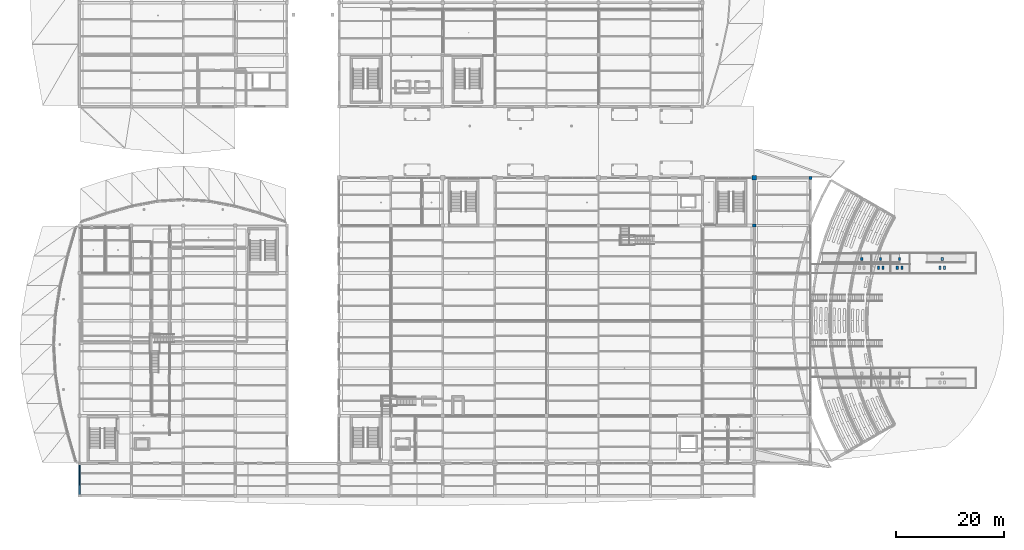
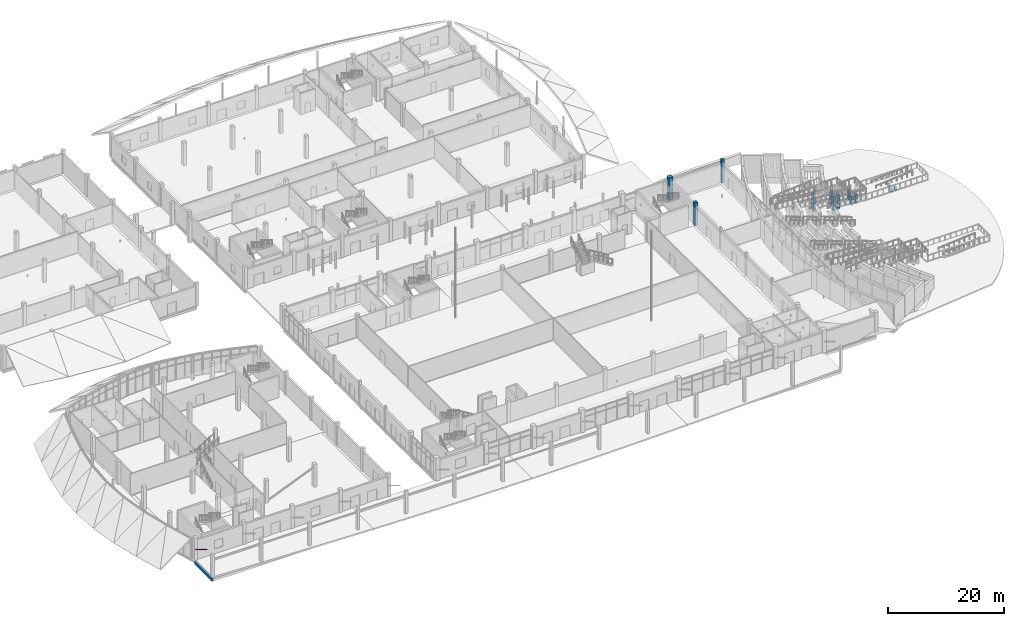
# One storey, part 15 of 116: 13 columns, 1 beam, 1 member.
"""IFC4 building model written with IfcOpenShell, lengths in metres."""

from ifc_helpers import new_model, si_unit, direction, frame, origin, origin_2d, place, context, subcontext, project, spatial, rectangle, hollow_circle, extrude, material, material_profile, profile_set, type_object, element, save


model = new_model("IFC4")

# Units and contexts
model_context = context("Model", 3, precision=1e-05, world=origin(), true_north=direction((0.0, 1.0)))
body_context = subcontext(model_context, "Body", "Model", "MODEL_VIEW")
ifc_project = project(units=[si_unit("LENGTHUNIT", "METRE"), si_unit("AREAUNIT", "SQUARE_METRE"), si_unit("VOLUMEUNIT", "CUBIC_METRE"), si_unit("PLANEANGLEUNIT", "RADIAN"), si_unit("MASSUNIT", "GRAM", prefix="KILO")], contexts=[model_context])

# Site, building, storey
site_placement = place(None, origin())
site = spatial("IfcSite", under=ifc_project, at=site_placement, CompositionType="ELEMENT")
building_placement = place(site_placement, origin())
building = spatial("IfcBuilding", under=site, at=building_placement, Name="Chalmorin Arch Market", CompositionType="ELEMENT")
storey_placement = place(building_placement, origin())
storey = spatial("IfcBuildingStorey", under=building, at=storey_placement, Name="L00", CompositionType="ELEMENT", Elevation=0.0)

# Columns
ifc_material_1 = material(Name="Concrete C50/60", Category="concrete")
ifc_material_profile_1 = material_profile(ifc_material_1, rectangle(XDim=0.800048828125, YDim=0.800048828125, at=origin_2d()), Name="RC800X800")
ifc_profile_set_1 = profile_set([ifc_material_profile_1], Name="Concrete C50/60")
column_type_1 = type_object("IfcColumnType", Name="ArchPierColumn-800x800", PredefinedType="COLUMN", material=ifc_profile_set_1)
column_1_placement = place(storey_placement, frame((124.800048828125, 58.800048828125, 0.0), z_axis=(0.0, 0.0, 1.0), x_axis=(1.0, 0.0, 0.0)))
element("IfcColumn", 1, at=column_1_placement, inside=storey, type_object=column_type_1, Name="C-AP1-673", PredefinedType="COLUMN", context=body_context, shape_type="SweptSolid", body=[
    extrude(rectangle(XDim=0.800048828125, YDim=0.800048828125, at=origin_2d()), origin(), (0.0, 0.0, 1.0), 4.800048828125),
])
ifc_material_2 = material(Name="Concrete C40/50", Category="concrete")
ifc_material_profile_2 = material_profile(ifc_material_2, rectangle(XDim=0.39990234375, YDim=0.60009765625, at=origin_2d()), Name="RC400X600")
ifc_profile_set_2 = profile_set([ifc_material_profile_2], Name="Concrete C40/50")
column_type_2 = type_object("IfcColumnType", Name="GalleryConcreteColumn-400x600", PredefinedType="COLUMN", material=ifc_profile_set_2)
for number, where, z_axis, x_axis, name in (
    (2, (159.155029296875, 42.179931640625, -0.320068359375), (0.0, 0.0, 1.0), (1.0, 0.0, 0.0), "C-RMP-02-L1"),
    (3, (159.9951171875, 42.179931640625, -0.320068359375), (0.0, 0.0, 1.0), (1.0, 0.0, 0.0), "C-RMP-02-L2"),
    (4, (159.574951171875, 43.820068359375, -0.320068359375), (0.0, 0.0, 1.0), (1.0, 0.0, 0.0), "C-RMP-02-L3"),
):
    element("IfcColumn", number, at=place(storey_placement, frame(where, z_axis=z_axis, x_axis=x_axis)), inside=storey, type_object=column_type_2, Name=name, PredefinedType="COLUMN", context=body_context, shape_type="SweptSolid", body=[
        extrude(rectangle(XDim=0.39990234375, YDim=0.60009765625, at=origin_2d()), origin(), (0.0, 0.0, 1.0), 0.7099609375),
    ])
for number, where, z_axis, x_axis, name in (
    (5, (151.26904296875, 42.179931640625, -0.320068359375), (0.0, 0.0, 1.0), (1.0, 0.0, 0.0), "C-RMP-04-L1"),
    (6, (152.10888671875, 42.179931640625, -0.320068359375), (0.0, 0.0, 1.0), (1.0, 0.0, 0.0), "C-RMP-04-L2"),
    (7, (151.68896484375, 43.820068359375, -0.320068359375), (0.0, 0.0, 1.0), (1.0, 0.0, 0.0), "C-RMP-04-L3"),
):
    element("IfcColumn", number, at=place(storey_placement, frame(where, z_axis=z_axis, x_axis=x_axis)), inside=storey, type_object=column_type_2, Name=name, PredefinedType="COLUMN", context=body_context, shape_type="SweptSolid", body=[
        extrude(rectangle(XDim=0.39990234375, YDim=0.60009765625, at=origin_2d()), origin(), (0.0, 0.0, 1.0), 1.91015625),
    ])
for number, where, z_axis, x_axis, name in (
    (8, (147.759033203125, 42.179931640625, -0.320068359375), (0.0, 0.0, 1.0), (1.0, 0.0, 0.0), "C-RMP-06-L1"),
    (9, (148.59912109375, 42.179931640625, -0.320068359375), (0.0, 0.0, 1.0), (1.0, 0.0, 0.0), "C-RMP-06-L2"),
    (10, (148.178955078125, 43.820068359375, -0.320068359375), (0.0, 0.0, 1.0), (1.0, 0.0, 0.0), "C-RMP-06-L3"),
):
    element("IfcColumn", number, at=place(storey_placement, frame(where, z_axis=z_axis, x_axis=x_axis)), inside=storey, type_object=column_type_2, Name=name, PredefinedType="COLUMN", context=body_context, shape_type="SweptSolid", body=[
        extrude(rectangle(XDim=0.39990234375, YDim=0.60009765625, at=origin_2d()), origin(), (0.0, 0.0, 1.0), 3.110107421875),
    ])
column_2_placement = place(storey_placement, frame((144.68505859375, 43.820068359375, -0.320068359375), z_axis=(0.0, 0.0, 1.0), x_axis=(1.0, 0.0, 0.0)))
element("IfcColumn", 11, at=column_2_placement, inside=storey, type_object=column_type_2, Name="C-RMP-08-L3", PredefinedType="COLUMN", context=body_context, shape_type="SweptSolid", body=[
    extrude(rectangle(XDim=0.39990234375, YDim=0.60009765625, at=origin_2d()), origin(), (0.0, 0.0, 1.0), 4.31005859375),
])
ifc_material_profile_3 = material_profile(ifc_material_2, rectangle(XDim=0.60009765625, YDim=0.60009765625, at=origin_2d()), Name="RC600X600")
ifc_profile_set_3 = profile_set([ifc_material_profile_3], Name="Concrete C40/50")
column_type_3 = type_object("IfcColumnType", Name="InteriorConcreteColumn-600x600", PredefinedType="COLUMN", material=ifc_profile_set_3)
for number, where, z_axis, x_axis, name in (
    (12, (124.800048828125, 50.0, 0.0), (0.0, 0.0, 1.0), (1.0, 0.0, 0.0), "C-RC2-668"),
    (13, (135.199951171875, 58.800048828125, 0.0), (0.0, 0.0, 1.0), (1.0, 0.0, 0.0), "C-RC2-685"),
):
    element("IfcColumn", number, at=place(storey_placement, frame(where, z_axis=z_axis, x_axis=x_axis)), inside=storey, type_object=column_type_3, Name=name, PredefinedType="COLUMN", context=body_context, shape_type="SweptSolid", body=[
        extrude(rectangle(XDim=0.60009765625, YDim=0.60009765625, at=origin_2d()), origin(), (0.0, 0.0, 1.0), 4.800048828125),
    ])

# Member
ifc_material_3 = material(Name="Steel A500 Grade C", Category="steel")
ifc_material_profile_4 = material_profile(ifc_material_3, hollow_circle(Radius=0.109619140625, WallThickness=0.00830078125, at=origin_2d()), Name="CHS219X8")
ifc_profile_set_4 = profile_set([ifc_material_profile_4], Name="Steel A500 Grade C")
member_type = type_object("IfcMemberType", Name="CanopyRakingStrut-CHS219", PredefinedType="STRUT", material=ifc_profile_set_4)
member_placement = place(storey_placement, frame((0.0, 6.0, 2.10009765625), z_axis=(0.0, -0.852698951307, 0.522402621012), x_axis=(1.0, 0.0, 0.0)))
element("IfcMember", 14, at=member_placement, inside=storey, type_object=member_type, Name="ST-CH219-0001", PredefinedType="STRUT", context=body_context, shape_type="SweptSolid", body=[
    extrude(hollow_circle(Radius=0.109619140625, WallThickness=0.00830078125, at=origin_2d()), origin(), (0.0, 0.0, 1.0), 4.63232421875),
])

# Beam
ifc_material_profile_5 = material_profile(ifc_material_2, rectangle(XDim=0.35009765625, YDim=0.550048828125, at=origin_2d()), Name="RC350X550")
ifc_profile_set_5 = profile_set([ifc_material_profile_5], Name="Concrete C40/50")
beam_type = type_object("IfcBeamType", Name="TerraceEdgeBeam-350x550", PredefinedType="SPANDREL", material=ifc_profile_set_5)
beam_placement = place(storey_placement, frame((0.0, 0.0, -0.626953125), z_axis=(0.0, 1.0, 0.0), x_axis=(-1.0, 0.0, 0.0)))
element("IfcBeam", 15, at=beam_placement, inside=storey, type_object=beam_type, Name="SP-RC1-0547", PredefinedType="SPANDREL", context=body_context, shape_type="SweptSolid", body=[
    extrude(rectangle(XDim=0.35009765625, YDim=0.550048828125, at=origin_2d()), origin(), (0.0, 0.0, 1.0), 6.0),
])

save(model, "model.ifc")
